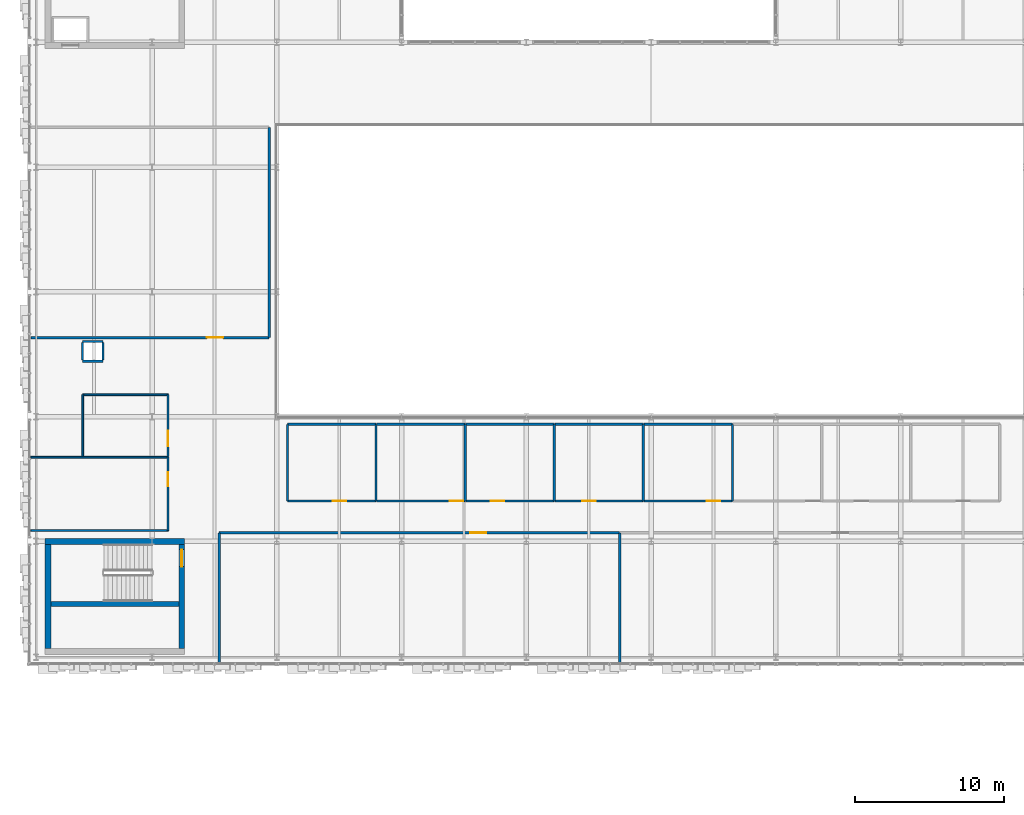
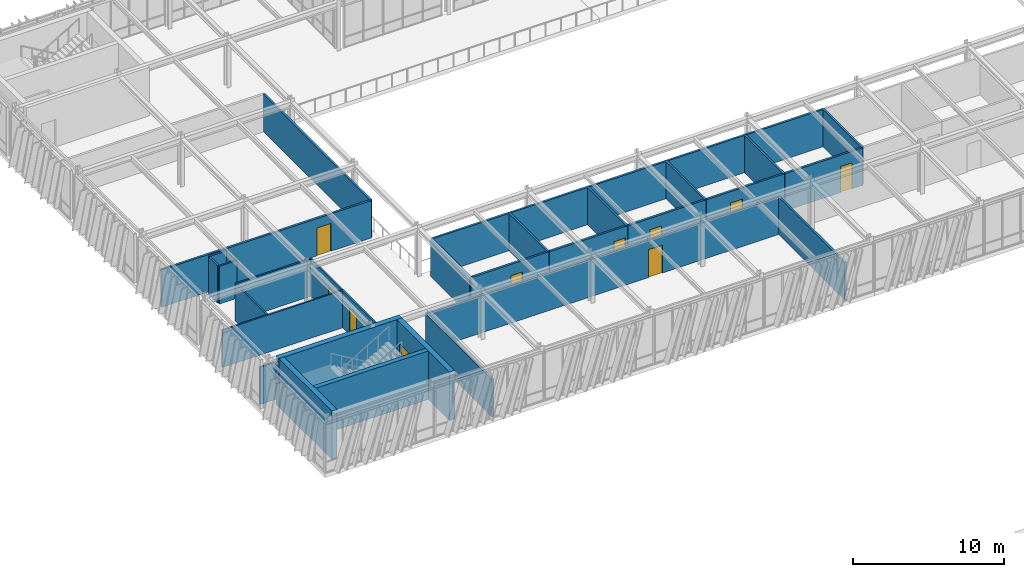
# One storey, part 106 of 127: 35 walls, 10 doors, 10 openings.
"""IFC4 building model written with IfcOpenShell, lengths in metres."""

from ifc_helpers import new_model, si_unit, direction, frame, frame_2d, origin, place, context, subcontext, project, spatial, rectangle, extrude, material, layer, layer_set, type_object, element, fill, save


model = new_model("IFC4")

# Units and contexts
model_context = context("Model", 3, precision=1e-05, world=origin(), true_north=direction((0.0, 1.0)))
body_context = subcontext(model_context, "Body", "Model", "MODEL_VIEW")
ifc_project = project(units=[si_unit("LENGTHUNIT", "METRE"), si_unit("AREAUNIT", "SQUARE_METRE"), si_unit("VOLUMEUNIT", "CUBIC_METRE"), si_unit("PLANEANGLEUNIT", "RADIAN"), si_unit("MASSUNIT", "GRAM", prefix="KILO")], contexts=[model_context])

# Site, building, storey
site_placement = place(None, origin())
site = spatial("IfcSite", under=ifc_project, at=site_placement, CompositionType="ELEMENT")
building_placement = place(site_placement, origin())
building = spatial("IfcBuilding", under=site, at=building_placement, Name="Zayran Congress Hotel", CompositionType="ELEMENT")
storey_placement = place(building_placement, frame((0.0, 0.0, 10.800048828125)))
storey = spatial("IfcBuildingStorey", under=building, at=storey_placement, Name="L02", CompositionType="ELEMENT", Elevation=10.800048828125)

# Walls
ifc_material_1 = material(Name="Concrete C40/50", Category="concrete")
ifc_layer_1 = layer(ifc_material_1, 0.39990234375)
ifc_layer_set_1 = layer_set([ifc_layer_1], Name="Concrete C40/50")
wall_type_1 = type_object("IfcWallType", Name="WL-SH-400", PredefinedType="SHEAR", material=ifc_layer_set_1)
wall_1_placement = place(storey_placement, frame((19.0, 75.985107421875, 0.0), z_axis=(0.0, 0.0, 1.0), x_axis=(-1.0, 0.0, 0.0)))
element("IfcWall", 1, at=wall_1_placement, inside=storey, type_object=wall_type_1, Name="CWALL-C-V1S-L02-N", PredefinedType="SHEAR", context=body_context, shape_type="SweptSolid", body=[
    extrude(rectangle(XDim=9.39990234375, YDim=0.39990234375, at=frame_2d((4.699951171875, 0.0))), origin(), (0.0, 0.0, 1.0), 3.919921875),
])
wall_2_placement = place(storey_placement, frame((9.800048828125, 75.800048828125, 0.0), z_axis=(0.0, 0.0, 1.0), x_axis=(0.0, -1.0, 0.0)))
element("IfcWall", 2, at=wall_2_placement, inside=storey, type_object=wall_type_1, Name="CWALL-C-V1S-L02-W", PredefinedType="SHEAR", context=body_context, shape_type="SweptSolid", body=[
    extrude(rectangle(XDim=7.0, YDim=0.39990234375, at=frame_2d((3.5, 0.0))), origin(), (0.0, 0.0, 1.0), 3.919921875),
])

# Wall, opening, door
wall_3_placement = place(storey_placement, frame((18.800048828125, 68.800048828125, 0.0), z_axis=(0.0, 0.0, 1.0), x_axis=(0.0, 1.0, 0.0)))
wall_3 = element("IfcWall", 3, at=wall_3_placement, inside=storey, type_object=wall_type_1, Name="CWALL-C-V1S-L02-E", PredefinedType="SHEAR", context=body_context, shape_type="SweptSolid", body=[
    extrude(rectangle(XDim=7.0, YDim=0.39990234375, at=frame_2d((3.5, 0.0))), origin(), (0.0, 0.0, 1.0), 3.919921875),
])
opening_1_placement = place(wall_3_placement, frame((5.5, 0.0, 0.0)))
opening_1 = element("IfcOpeningElement", 4, at=opening_1_placement, cuts=wall_3, Name="Opening DR-FD-90", PredefinedType="OPENING", context=body_context, shape_type="SweptSolid", body=[
    extrude(rectangle(XDim=1.14990234375, YDim=2.199951171875, at=frame_2d((0.574951171875, 1.10009765625))), frame((0.0, 0.2099609375, 0.0), z_axis=(0.0, -1.0, 0.0), x_axis=(1.0, 0.0, 0.0)), (0.0, 0.0, 1.0), 0.419921875),
])
ifc_material_2 = material(Name="Painted steel fire door assembly", Category="steel")
door_type_1 = type_object("IfcDoorType", Name="TP-DR-FD-90", OperationType="NOTDEFINED", PredefinedType="DOOR", material=ifc_material_2)
door_1_placement = place(opening_1_placement, origin())
door_1 = element("IfcDoor", 5, at=door_1_placement, inside=storey, type_object=door_type_1, Name="ST-05 Exit Stair Door L02", OperationType="SINGLE_SWING_RIGHT", OverallHeight=2.199951171875, OverallWidth=1.14990234375, PredefinedType="DOOR", context=body_context, shape_type="SweptSolid", body=[
    extrude(rectangle(XDim=1.14990234375, YDim=2.199951171875, at=frame_2d((0.574951171875, 1.10009765625))), frame((0.0, 0.02490234375, 0.0), z_axis=(0.0, -1.0, 0.0), x_axis=(1.0, 0.0, 0.0)), (0.0, 0.0, 1.0), 0.050048828125),
])
fill(opening_1, door_1)

# Wall
ifc_layer_2 = layer(ifc_material_1, 0.35009765625)
ifc_layer_set_2 = layer_set([ifc_layer_2], Name="Concrete C40/50")
wall_type_2 = type_object("IfcWallType", Name="WL-SH-350", PredefinedType="SHEAR", material=ifc_layer_set_2)
wall_4_placement = place(storey_placement, frame((10.0, 71.784912109375, 0.0), z_axis=(0.0, 0.0, 1.0), x_axis=(1.0, 0.0, 0.0)))
element("IfcWall", 6, at=wall_4_placement, inside=storey, type_object=wall_type_2, Name="CWALL-C-V1S-L02-SPN", PredefinedType="SHEAR", context=body_context, shape_type="SweptSolid", body=[
    extrude(rectangle(XDim=8.60009765625, YDim=0.35009765625, at=frame_2d((4.300048828125, 0.0))), origin(), (0.0, 0.0, 1.0), 3.919921875),
])

# Wall, opening, door
ifc_material_3 = material(Name="Acoustic twin-stud gypsum partition", Category="gypsum")
ifc_layer_3 = layer(ifc_material_3, 0.159912109375)
ifc_layer_set_3 = layer_set([ifc_layer_3], Name="Acoustic twin-stud gypsum partition")
wall_type_3 = type_object("IfcWallType", Name="WL-PT-160", PredefinedType="PARTITIONING", material=ifc_layer_set_3)
wall_5_placement = place(storey_placement, frame((25.919921875, 78.719970703125, 0.0), z_axis=(0.0, 0.0, 1.0), x_axis=(1.0, 0.0, 0.0)))
wall_5 = element("IfcWall", 7, at=wall_5_placement, inside=storey, type_object=wall_type_3, Name="IW-L02-0486", PredefinedType="PARTITIONING", context=body_context, shape_type="SweptSolid", body=[
    extrude(rectangle(XDim=5.9599609375, YDim=0.159912109375, at=frame_2d((2.97998046875, 0.0))), origin(), (0.0, 0.0, 1.0), 3.02001953125),
])
opening_2_placement = place(wall_5_placement, frame((3.0419921875, 0.0, 0.0)))
opening_2 = element("IfcOpeningElement", 8, at=opening_2_placement, cuts=wall_5, Name="Opening DR-IB-01", PredefinedType="OPENING", context=body_context, shape_type="SweptSolid", body=[
    extrude(rectangle(XDim=0.89990234375, YDim=2.10009765625, at=frame_2d((0.449951171875, 1.050048828125))), frame((0.0, 0.08984375, 0.0), z_axis=(0.0, -1.0, 0.0), x_axis=(1.0, 0.0, 0.0)), (0.0, 0.0, 1.0), 0.179931640625),
])
ifc_material_4 = material(Name="Acoustic interpretation booth door", Category="steel")
door_type_2 = type_object("IfcDoorType", Name="TP-DR-IB-01", OperationType="NOTDEFINED", PredefinedType="DOOR", material=ifc_material_4)
door_2_placement = place(opening_2_placement, origin())
door_2 = element("IfcDoor", 9, at=door_2_placement, inside=storey, type_object=door_type_2, Name="Interpretation Booth 01 Door", OperationType="SINGLE_SWING_LEFT", OverallHeight=2.10009765625, OverallWidth=0.89990234375, PredefinedType="DOOR", context=body_context, shape_type="SweptSolid", body=[
    extrude(rectangle(XDim=0.89990234375, YDim=2.10009765625, at=frame_2d((0.449951171875, 1.050048828125))), frame((0.0, 0.02490234375, 0.0), z_axis=(0.0, -1.0, 0.0), x_axis=(1.0, 0.0, 0.0)), (0.0, 0.0, 1.0), 0.050048828125),
])
fill(opening_2, door_2)

wall_6_placement = place(storey_placement, frame((31.919921875, 78.719970703125, 0.0), z_axis=(0.0, 0.0, 1.0), x_axis=(1.0, 0.0, 0.0)))
wall_6 = element("IfcWall", 10, at=wall_6_placement, inside=storey, type_object=wall_type_3, Name="IW-L02-0487", PredefinedType="PARTITIONING", context=body_context, shape_type="SweptSolid", body=[
    extrude(rectangle(XDim=5.9599609375, YDim=0.159912109375, at=frame_2d((2.97998046875, 0.0))), origin(), (0.0, 0.0, 1.0), 3.02001953125),
])
opening_3_placement = place(wall_6_placement, frame((4.919921875, 0.0, 0.0)))
opening_3 = element("IfcOpeningElement", 11, at=opening_3_placement, cuts=wall_6, Name="Opening DR-IB-01", PredefinedType="OPENING", context=body_context, shape_type="SweptSolid", body=[
    extrude(rectangle(XDim=0.89990234375, YDim=2.10009765625, at=frame_2d((0.449951171875, 1.050048828125))), frame((0.0, 0.08984375, 0.0), z_axis=(0.0, -1.0, 0.0), x_axis=(1.0, 0.0, 0.0)), (0.0, 0.0, 1.0), 0.179931640625),
])
door_3_placement = place(opening_3_placement, origin())
door_3 = element("IfcDoor", 12, at=door_3_placement, inside=storey, type_object=door_type_2, Name="Interpretation Booth 02 Door", OperationType="SINGLE_SWING_RIGHT", OverallHeight=2.10009765625, OverallWidth=0.89990234375, PredefinedType="DOOR", context=body_context, shape_type="SweptSolid", body=[
    extrude(rectangle(XDim=0.89990234375, YDim=2.10009765625, at=frame_2d((0.449951171875, 1.050048828125))), frame((0.0, 0.02490234375, 0.0), z_axis=(0.0, -1.0, 0.0), x_axis=(1.0, 0.0, 0.0)), (0.0, 0.0, 1.0), 0.050048828125),
])
fill(opening_3, door_3)

wall_7_placement = place(storey_placement, frame((37.919921875, 78.719970703125, 0.0), z_axis=(0.0, 0.0, 1.0), x_axis=(1.0, 0.0, 0.0)))
wall_7 = element("IfcWall", 13, at=wall_7_placement, inside=storey, type_object=wall_type_3, Name="IW-L02-0488", PredefinedType="PARTITIONING", context=body_context, shape_type="SweptSolid", body=[
    extrude(rectangle(XDim=5.9599609375, YDim=0.159912109375, at=frame_2d((2.97998046875, 0.0))), origin(), (0.0, 0.0, 1.0), 3.02001953125),
])
opening_4_placement = place(wall_7_placement, frame((1.676025390625, 0.0, 0.0)))
opening_4 = element("IfcOpeningElement", 14, at=opening_4_placement, cuts=wall_7, Name="Opening DR-IB-01", PredefinedType="OPENING", context=body_context, shape_type="SweptSolid", body=[
    extrude(rectangle(XDim=0.89990234375, YDim=2.10009765625, at=frame_2d((0.449951171875, 1.050048828125))), frame((0.0, 0.08984375, 0.0), z_axis=(0.0, -1.0, 0.0), x_axis=(1.0, 0.0, 0.0)), (0.0, 0.0, 1.0), 0.179931640625),
])
door_4_placement = place(opening_4_placement, origin())
door_4 = element("IfcDoor", 15, at=door_4_placement, inside=storey, type_object=door_type_2, Name="Interpretation Booth 03 Door", OperationType="SINGLE_SWING_LEFT", OverallHeight=2.10009765625, OverallWidth=0.89990234375, PredefinedType="DOOR", context=body_context, shape_type="SweptSolid", body=[
    extrude(rectangle(XDim=0.89990234375, YDim=2.10009765625, at=frame_2d((0.449951171875, 1.050048828125))), frame((0.0, 0.02490234375, 0.0), z_axis=(0.0, -1.0, 0.0), x_axis=(1.0, 0.0, 0.0)), (0.0, 0.0, 1.0), 0.050048828125),
])
fill(opening_4, door_4)

wall_8_placement = place(storey_placement, frame((43.919921875, 78.719970703125, 0.0), z_axis=(0.0, 0.0, 1.0), x_axis=(1.0, 0.0, 0.0)))
wall_8 = element("IfcWall", 16, at=wall_8_placement, inside=storey, type_object=wall_type_3, Name="IW-L02-0489", PredefinedType="PARTITIONING", context=body_context, shape_type="SweptSolid", body=[
    extrude(rectangle(XDim=5.9599609375, YDim=0.159912109375, at=frame_2d((2.97998046875, 0.0))), origin(), (0.0, 0.0, 1.0), 3.02001953125),
])
opening_5_placement = place(wall_8_placement, frame((1.846923828125, 0.0, 0.0)))
opening_5 = element("IfcOpeningElement", 17, at=opening_5_placement, cuts=wall_8, Name="Opening DR-IB-01", PredefinedType="OPENING", context=body_context, shape_type="SweptSolid", body=[
    extrude(rectangle(XDim=0.89990234375, YDim=2.10009765625, at=frame_2d((0.449951171875, 1.050048828125))), frame((0.0, 0.08984375, 0.0), z_axis=(0.0, -1.0, 0.0), x_axis=(1.0, 0.0, 0.0)), (0.0, 0.0, 1.0), 0.179931640625),
])
door_5_placement = place(opening_5_placement, origin())
door_5 = element("IfcDoor", 18, at=door_5_placement, inside=storey, type_object=door_type_2, Name="Interpretation Booth 04 Door", OperationType="SINGLE_SWING_RIGHT", OverallHeight=2.10009765625, OverallWidth=0.89990234375, PredefinedType="DOOR", context=body_context, shape_type="SweptSolid", body=[
    extrude(rectangle(XDim=0.89990234375, YDim=2.10009765625, at=frame_2d((0.449951171875, 1.050048828125))), frame((0.0, 0.02490234375, 0.0), z_axis=(0.0, -1.0, 0.0), x_axis=(1.0, 0.0, 0.0)), (0.0, 0.0, 1.0), 0.050048828125),
])
fill(opening_5, door_5)

wall_9_placement = place(storey_placement, frame((49.919921875, 78.719970703125, 0.0), z_axis=(0.0, 0.0, 1.0), x_axis=(1.0, 0.0, 0.0)))
wall_9 = element("IfcWall", 19, at=wall_9_placement, inside=storey, type_object=wall_type_3, Name="IW-L02-0490", PredefinedType="PARTITIONING", context=body_context, shape_type="SweptSolid", body=[
    extrude(rectangle(XDim=5.9599609375, YDim=0.159912109375, at=frame_2d((2.97998046875, 0.0))), origin(), (0.0, 0.0, 1.0), 3.02001953125),
])
opening_6_placement = place(wall_9_placement, frame((4.237060546875, 0.0, 0.0)))
opening_6 = element("IfcOpeningElement", 20, at=opening_6_placement, cuts=wall_9, Name="Opening DR-IB-01", PredefinedType="OPENING", context=body_context, shape_type="SweptSolid", body=[
    extrude(rectangle(XDim=0.89990234375, YDim=2.10009765625, at=frame_2d((0.449951171875, 1.050048828125))), frame((0.0, 0.08984375, 0.0), z_axis=(0.0, -1.0, 0.0), x_axis=(1.0, 0.0, 0.0)), (0.0, 0.0, 1.0), 0.179931640625),
])
door_6_placement = place(opening_6_placement, origin())
door_6 = element("IfcDoor", 21, at=door_6_placement, inside=storey, type_object=door_type_2, Name="Interpretation Booth 05 Door", OperationType="SINGLE_SWING_LEFT", OverallHeight=2.10009765625, OverallWidth=0.89990234375, PredefinedType="DOOR", context=body_context, shape_type="SweptSolid", body=[
    extrude(rectangle(XDim=0.89990234375, YDim=2.10009765625, at=frame_2d((0.449951171875, 1.050048828125))), frame((0.0, 0.02490234375, 0.0), z_axis=(0.0, -1.0, 0.0), x_axis=(1.0, 0.0, 0.0)), (0.0, 0.0, 1.0), 0.050048828125),
])
fill(opening_6, door_6)

wall_10_placement = place(storey_placement, frame((21.320068359375, 76.580078125, 0.0), z_axis=(0.0, 0.0, 1.0), x_axis=(1.0, 0.0, 0.0)))
wall_10 = element("IfcWall", 22, at=wall_10_placement, inside=storey, type_object=wall_type_3, Name="IW-L02-0494", PredefinedType="PARTITIONING", context=body_context, shape_type="SweptSolid", body=[
    extrude(rectangle(XDim=26.9599609375, YDim=0.159912109375, at=frame_2d((13.47998046875, 0.0))), origin(), (0.0, 0.0, 1.0), 3.02001953125),
])
opening_7_placement = place(wall_10_placement, frame((16.9140625, 0.0, 0.0)))
opening_7 = element("IfcOpeningElement", 23, at=opening_7_placement, cuts=wall_10, Name="Opening DR-MT-01", PredefinedType="OPENING", context=body_context, shape_type="SweptSolid", body=[
    extrude(rectangle(XDim=1.080078125, YDim=2.25, at=frame_2d((0.5400390625, 1.125))), frame((0.0, 0.08984375, 0.0), z_axis=(0.0, -1.0, 0.0), x_axis=(1.0, 0.0, 0.0)), (0.0, 0.0, 1.0), 0.179931640625),
])
ifc_material_5 = material(Name="Acoustic timber seminar room door", Category="wood")
door_type_3 = type_object("IfcDoorType", Name="TP-DR-MT-01", OperationType="NOTDEFINED", PredefinedType="DOOR", material=ifc_material_5)
door_7_placement = place(opening_7_placement, origin())
door_7 = element("IfcDoor", 24, at=door_7_placement, inside=storey, type_object=door_type_3, Name="Press Seminar Meeting Room West Door", OperationType="SINGLE_SWING_LEFT", OverallHeight=2.25, OverallWidth=1.080078125, PredefinedType="DOOR", context=body_context, shape_type="SweptSolid", body=[
    extrude(rectangle(XDim=1.080078125, YDim=2.25, at=frame_2d((0.5400390625, 1.125))), frame((0.0, 0.02490234375, 0.0), z_axis=(0.0, -1.0, 0.0), x_axis=(1.0, 0.0, 0.0)), (0.0, 0.0, 1.0), 0.050048828125),
])
fill(opening_7, door_7)

wall_11_placement = place(storey_placement, frame((8.639892578125, 89.719970703125, 0.0), z_axis=(0.0, 0.0, 1.0), x_axis=(1.0, 0.0, 0.0)))
wall_11 = element("IfcWall", 25, at=wall_11_placement, inside=storey, type_object=wall_type_3, Name="IW-L02-0496", PredefinedType="PARTITIONING", context=body_context, shape_type="SweptSolid", body=[
    extrude(rectangle(XDim=16.0400390625, YDim=0.159912109375, at=frame_2d((8.02001953125, 0.0))), origin(), (0.0, 0.0, 1.0), 3.02001953125),
])
opening_8_placement = place(wall_11_placement, frame((11.85888671875, 0.0, 0.0)))
opening_8 = element("IfcOpeningElement", 26, at=opening_8_placement, cuts=wall_11, Name="Opening DR-MT-01", PredefinedType="OPENING", context=body_context, shape_type="SweptSolid", body=[
    extrude(rectangle(XDim=1.080078125, YDim=2.25, at=frame_2d((0.5400390625, 1.125))), frame((0.0, 0.08984375, 0.0), z_axis=(0.0, -1.0, 0.0), x_axis=(1.0, 0.0, 0.0)), (0.0, 0.0, 1.0), 0.179931640625),
])
door_8_placement = place(opening_8_placement, origin())
door_8 = element("IfcDoor", 27, at=door_8_placement, inside=storey, type_object=door_type_3, Name="Congress Acoustic Gallery West L02 Door", OperationType="SINGLE_SWING_LEFT", OverallHeight=2.25, OverallWidth=1.080078125, PredefinedType="DOOR", context=body_context, shape_type="SweptSolid", body=[
    extrude(rectangle(XDim=1.080078125, YDim=2.25, at=frame_2d((0.5400390625, 1.125))), frame((0.0, 0.02490234375, 0.0), z_axis=(0.0, -1.0, 0.0), x_axis=(1.0, 0.0, 0.0)), (0.0, 0.0, 1.0), 0.050048828125),
])
fill(opening_8, door_8)

# Walls
wall_12_placement = place(storey_placement, frame((25.919921875, 83.8798828125, 0.0), z_axis=(0.0, 0.0, 1.0), x_axis=(1.0, 0.0, 0.0)))
element("IfcWall", 28, at=wall_12_placement, inside=storey, type_object=wall_type_3, Name="IW-L02-1778", PredefinedType="PARTITIONING", context=body_context, shape_type="SweptSolid", body=[
    extrude(rectangle(XDim=5.9599609375, YDim=0.159912109375, at=frame_2d((2.97998046875, 0.0))), origin(), (0.0, 0.0, 1.0), 3.02001953125),
])
for number, where, z_axis, x_axis, name in (
    (29, (25.919921875, 78.719970703125, 0.0), (0.0, 0.0, 1.0), (0.0, 1.0, 0.0), "IW-L02-1779"),
    (30, (31.8798828125, 78.719970703125, 0.0), (0.0, 0.0, 1.0), (0.0, 1.0, 0.0), "IW-L02-1780"),
):
    element("IfcWall", number, at=place(storey_placement, frame(where, z_axis=z_axis, x_axis=x_axis)), inside=storey, type_object=wall_type_3, Name=name, PredefinedType="PARTITIONING", context=body_context, shape_type="SweptSolid", body=[
        extrude(rectangle(XDim=5.159912109375, YDim=0.159912109375, at=frame_2d((2.580078125, 0.0))), origin(), (0.0, 0.0, 1.0), 3.02001953125),
    ])
wall_13_placement = place(storey_placement, frame((31.919921875, 83.8798828125, 0.0), z_axis=(0.0, 0.0, 1.0), x_axis=(1.0, 0.0, 0.0)))
element("IfcWall", 31, at=wall_13_placement, inside=storey, type_object=wall_type_3, Name="IW-L02-1781", PredefinedType="PARTITIONING", context=body_context, shape_type="SweptSolid", body=[
    extrude(rectangle(XDim=5.9599609375, YDim=0.159912109375, at=frame_2d((2.97998046875, 0.0))), origin(), (0.0, 0.0, 1.0), 3.02001953125),
])
wall_14_placement = place(storey_placement, frame((37.8798828125, 78.719970703125, 0.0), z_axis=(0.0, 0.0, 1.0), x_axis=(0.0, 1.0, 0.0)))
element("IfcWall", 32, at=wall_14_placement, inside=storey, type_object=wall_type_3, Name="IW-L02-1782", PredefinedType="PARTITIONING", context=body_context, shape_type="SweptSolid", body=[
    extrude(rectangle(XDim=5.159912109375, YDim=0.159912109375, at=frame_2d((2.580078125, 0.0))), origin(), (0.0, 0.0, 1.0), 3.02001953125),
])
wall_15_placement = place(storey_placement, frame((37.919921875, 83.8798828125, 0.0), z_axis=(0.0, 0.0, 1.0), x_axis=(1.0, 0.0, 0.0)))
element("IfcWall", 33, at=wall_15_placement, inside=storey, type_object=wall_type_3, Name="IW-L02-1783", PredefinedType="PARTITIONING", context=body_context, shape_type="SweptSolid", body=[
    extrude(rectangle(XDim=5.9599609375, YDim=0.159912109375, at=frame_2d((2.97998046875, 0.0))), origin(), (0.0, 0.0, 1.0), 3.02001953125),
])
wall_16_placement = place(storey_placement, frame((43.8798828125, 78.719970703125, 0.0), z_axis=(0.0, 0.0, 1.0), x_axis=(0.0, 1.0, 0.0)))
element("IfcWall", 34, at=wall_16_placement, inside=storey, type_object=wall_type_3, Name="IW-L02-1784", PredefinedType="PARTITIONING", context=body_context, shape_type="SweptSolid", body=[
    extrude(rectangle(XDim=5.159912109375, YDim=0.159912109375, at=frame_2d((2.580078125, 0.0))), origin(), (0.0, 0.0, 1.0), 3.02001953125),
])
wall_17_placement = place(storey_placement, frame((43.919921875, 83.8798828125, 0.0), z_axis=(0.0, 0.0, 1.0), x_axis=(1.0, 0.0, 0.0)))
element("IfcWall", 35, at=wall_17_placement, inside=storey, type_object=wall_type_3, Name="IW-L02-1785", PredefinedType="PARTITIONING", context=body_context, shape_type="SweptSolid", body=[
    extrude(rectangle(XDim=5.9599609375, YDim=0.159912109375, at=frame_2d((2.97998046875, 0.0))), origin(), (0.0, 0.0, 1.0), 3.02001953125),
])
wall_18_placement = place(storey_placement, frame((49.8798828125, 78.719970703125, 0.0), z_axis=(0.0, 0.0, 1.0), x_axis=(0.0, 1.0, 0.0)))
element("IfcWall", 36, at=wall_18_placement, inside=storey, type_object=wall_type_3, Name="IW-L02-1786", PredefinedType="PARTITIONING", context=body_context, shape_type="SweptSolid", body=[
    extrude(rectangle(XDim=5.159912109375, YDim=0.159912109375, at=frame_2d((2.580078125, 0.0))), origin(), (0.0, 0.0, 1.0), 3.02001953125),
])
wall_19_placement = place(storey_placement, frame((49.919921875, 83.8798828125, 0.0), z_axis=(0.0, 0.0, 1.0), x_axis=(1.0, 0.0, 0.0)))
element("IfcWall", 37, at=wall_19_placement, inside=storey, type_object=wall_type_3, Name="IW-L02-1787", PredefinedType="PARTITIONING", context=body_context, shape_type="SweptSolid", body=[
    extrude(rectangle(XDim=5.9599609375, YDim=0.159912109375, at=frame_2d((2.97998046875, 0.0))), origin(), (0.0, 0.0, 1.0), 3.02001953125),
])
wall_20_placement = place(storey_placement, frame((55.8798828125, 78.719970703125, 0.0), z_axis=(0.0, 0.0, 1.0), x_axis=(0.0, 1.0, 0.0)))
element("IfcWall", 38, at=wall_20_placement, inside=storey, type_object=wall_type_3, Name="IW-L02-1788", PredefinedType="PARTITIONING", context=body_context, shape_type="SweptSolid", body=[
    extrude(rectangle(XDim=5.159912109375, YDim=0.159912109375, at=frame_2d((2.580078125, 0.0))), origin(), (0.0, 0.0, 1.0), 3.02001953125),
])
for number, where, z_axis, x_axis, name in (
    (39, (21.320068359375, 67.77001953125, 0.0), (0.0, 0.0, 1.0), (0.0, 1.0, 0.0), "IW-L02-1795"),
    (40, (48.280029296875, 67.77001953125, 0.0), (0.0, 0.0, 1.0), (0.0, 1.0, 0.0), "IW-L02-1796"),
):
    element("IfcWall", number, at=place(storey_placement, frame(where, z_axis=z_axis, x_axis=x_axis)), inside=storey, type_object=wall_type_3, Name=name, PredefinedType="PARTITIONING", context=body_context, shape_type="SweptSolid", body=[
        extrude(rectangle(XDim=8.81005859375, YDim=0.159912109375, at=frame_2d((4.405029296875, 0.0))), origin(), (0.0, 0.0, 1.0), 3.02001953125),
    ])
wall_21_placement = place(storey_placement, frame((24.679931640625, 89.719970703125, 0.0), z_axis=(0.0, 0.0, 1.0), x_axis=(0.0, 1.0, 0.0)))
element("IfcWall", 41, at=wall_21_placement, inside=storey, type_object=wall_type_3, Name="IW-L02-1799", PredefinedType="PARTITIONING", context=body_context, shape_type="SweptSolid", body=[
    extrude(rectangle(XDim=14.159912109375, YDim=0.159912109375, at=frame_2d((7.080078125, 0.0))), origin(), (0.0, 0.0, 1.0), 3.02001953125),
])
ifc_material_6 = material(Name="Hospitality guestroom acoustic partition", Category="gypsum")
ifc_layer_4 = layer(ifc_material_6, 0.139892578125)
ifc_layer_set_4 = layer_set([ifc_layer_4], Name="Hospitality guestroom acoustic partition")
wall_type_4 = type_object("IfcWallType", Name="WL-PT-140", PredefinedType="PARTITIONING", material=ifc_layer_set_4)
for number, where, z_axis, x_axis, name in (
    (42, (12.1298828125, 88.1298828125, 0.0), (0.0, 0.0, 1.0), (1.0, 0.0, 0.0), "RSWL-V1-L02-005-S"),
    (43, (13.489990234375, 89.449951171875, 0.0), (0.0, 0.0, 1.0), (-1.0, 0.0, 0.0), "RSWL-V1-L02-005-N"),
):
    element("IfcWall", number, at=place(storey_placement, frame(where, z_axis=z_axis, x_axis=x_axis)), inside=storey, type_object=wall_type_4, Name=name, PredefinedType="PARTITIONING", context=body_context, shape_type="SweptSolid", body=[
        extrude(rectangle(XDim=1.360107421875, YDim=0.139892578125, at=frame_2d((0.68017578125, 0.0))), origin(), (0.0, 0.0, 1.0), 3.0400390625),
    ])
for number, where, z_axis, x_axis, name in (
    (44, (12.1298828125, 89.3798828125, 0.0), (0.0, 0.0, 1.0), (0.0, -1.0, 0.0), "RSWL-V1-L02-005-W"),
    (45, (13.489990234375, 88.199951171875, 0.0), (0.0, 0.0, 1.0), (0.0, 1.0, 0.0), "RSWL-V1-L02-005-E"),
):
    element("IfcWall", number, at=place(storey_placement, frame(where, z_axis=z_axis, x_axis=x_axis)), inside=storey, type_object=wall_type_4, Name=name, PredefinedType="PARTITIONING", context=body_context, shape_type="SweptSolid", body=[
        extrude(rectangle(XDim=1.179931640625, YDim=0.139892578125, at=frame_2d((0.58984375, 0.0))), origin(), (0.0, 0.0, 1.0), 3.0400390625),
    ])

# Wall, opening, door
ifc_material_7 = material(Name="Moisture-resistant bathroom partition", Category="gypsum")
ifc_layer_5 = layer(ifc_material_7, 0.1201171875)
ifc_layer_set_5 = layer_set([ifc_layer_5], Name="Moisture-resistant bathroom partition")
wall_type_5 = type_object("IfcWallType", Name="WL-PT-120", PredefinedType="PARTITIONING", material=ifc_layer_set_5)
wall_22_placement = place(storey_placement, frame((17.8701171875, 76.719970703125, 0.0), z_axis=(0.0, 0.0, 1.0), x_axis=(0.0, 1.0, 0.0)))
wall_22 = element("IfcWall", 46, at=wall_22_placement, inside=storey, type_object=wall_type_5, Name="IW-L02-0353", PredefinedType="PARTITIONING", context=body_context, shape_type="SweptSolid", body=[
    extrude(rectangle(XDim=4.9599609375, YDim=0.1201171875, at=frame_2d((2.47998046875, 0.0))), origin(), (0.0, 0.0, 1.0), 3.02001953125),
])
opening_9_placement = place(wall_22_placement, frame((3.006103515625, 0.0, 0.0)))
opening_9 = element("IfcOpeningElement", 47, at=opening_9_placement, cuts=wall_22, Name="Opening DR-WC-01", PredefinedType="OPENING", context=body_context, shape_type="SweptSolid", body=[
    extrude(rectangle(XDim=0.919921875, YDim=2.14990234375, at=frame_2d((0.4599609375, 1.074951171875))), frame((0.0, 0.070068359375, 0.0), z_axis=(0.0, -1.0, 0.0), x_axis=(1.0, 0.0, 0.0)), (0.0, 0.0, 1.0), 0.14013671875),
])
ifc_material_8 = material(Name="Laminated timber public washroom door", Category="wood")
door_type_4 = type_object("IfcDoorType", Name="TP-DR-WC-01", OperationType="NOTDEFINED", PredefinedType="DOOR", material=ifc_material_8)
door_9_placement = place(opening_9_placement, origin())
door_9 = element("IfcDoor", 48, at=door_9_placement, inside=storey, type_object=door_type_4, Name="Public WC L02 Congress Door", OperationType="SINGLE_SWING_RIGHT", OverallHeight=2.14990234375, OverallWidth=0.919921875, PredefinedType="DOOR", context=body_context, shape_type="SweptSolid", body=[
    extrude(rectangle(XDim=0.919921875, YDim=2.14990234375, at=frame_2d((0.4599609375, 1.074951171875))), frame((0.0, 0.02490234375, 0.0), z_axis=(0.0, -1.0, 0.0), x_axis=(1.0, 0.0, 0.0)), (0.0, 0.0, 1.0), 0.050048828125),
])
fill(opening_9, door_9)

wall_23_placement = place(storey_placement, frame((17.8701171875, 81.719970703125, 0.0), z_axis=(0.0, 0.0, 1.0), x_axis=(0.0, 1.0, 0.0)))
wall_23 = element("IfcWall", 49, at=wall_23_placement, inside=storey, type_object=wall_type_5, Name="IW-L02-0354", PredefinedType="PARTITIONING", context=body_context, shape_type="SweptSolid", body=[
    extrude(rectangle(XDim=4.159912109375, YDim=0.1201171875, at=frame_2d((2.080078125, 0.0))), origin(), (0.0, 0.0, 1.0), 3.02001953125),
])
opening_10_placement = place(wall_23_placement, frame((0.679931640625, 0.0, 0.0)))
opening_10 = element("IfcOpeningElement", 50, at=opening_10_placement, cuts=wall_23, Name="Opening DR-WC-02", PredefinedType="OPENING", context=body_context, shape_type="SweptSolid", body=[
    extrude(rectangle(XDim=1.0400390625, YDim=2.14990234375, at=frame_2d((0.52001953125, 1.074951171875))), frame((0.0, 0.070068359375, 0.0), z_axis=(0.0, -1.0, 0.0), x_axis=(1.0, 0.0, 0.0)), (0.0, 0.0, 1.0), 0.14013671875),
])
ifc_material_9 = material(Name="Accessible public washroom door", Category="steel")
door_type_5 = type_object("IfcDoorType", Name="TP-DR-WC-02", OperationType="NOTDEFINED", PredefinedType="DOOR", material=ifc_material_9)
door_10_placement = place(opening_10_placement, origin())
door_10 = element("IfcDoor", 51, at=door_10_placement, inside=storey, type_object=door_type_5, Name="Accessible WC L02 Congress Door", OperationType="SINGLE_SWING_LEFT", OverallHeight=2.14990234375, OverallWidth=1.0400390625, PredefinedType="DOOR", context=body_context, shape_type="SweptSolid", body=[
    extrude(rectangle(XDim=1.0400390625, YDim=2.14990234375, at=frame_2d((0.52001953125, 1.074951171875))), frame((0.0, 0.02490234375, 0.0), z_axis=(0.0, -1.0, 0.0), x_axis=(1.0, 0.0, 0.0)), (0.0, 0.0, 1.0), 0.050048828125),
])
fill(opening_10, door_10)

# Walls
for number, where, z_axis, x_axis, name in (
    (52, (8.639892578125, 76.72998046875, 0.0), (0.0, 0.0, 1.0), (1.0, 0.0, 0.0), "IW-L02-1569"),
    (53, (8.639892578125, 81.669921875, 0.0), (0.0, 0.0, 1.0), (1.0, 0.0, 0.0), "IW-L02-1570"),
):
    element("IfcWall", number, at=place(storey_placement, frame(where, z_axis=z_axis, x_axis=x_axis)), inside=storey, type_object=wall_type_5, Name=name, PredefinedType="PARTITIONING", context=body_context, shape_type="SweptSolid", body=[
        extrude(rectangle(XDim=9.239990234375, YDim=0.1201171875, at=frame_2d((4.6201171875, 0.0))), origin(), (0.0, 0.0, 1.0), 3.02001953125),
    ])
wall_24_placement = place(storey_placement, frame((12.1201171875, 85.8701171875, 0.0), z_axis=(0.0, 0.0, 1.0), x_axis=(1.0, 0.0, 0.0)))
element("IfcWall", 54, at=wall_24_placement, inside=storey, type_object=wall_type_5, Name="IW-L02-1571", PredefinedType="PARTITIONING", context=body_context, shape_type="SweptSolid", body=[
    extrude(rectangle(XDim=5.759765625, YDim=0.1201171875, at=frame_2d((2.8798828125, 0.0))), origin(), (0.0, 0.0, 1.0), 3.02001953125),
])
wall_25_placement = place(storey_placement, frame((12.1298828125, 81.719970703125, 0.0), z_axis=(0.0, 0.0, 1.0), x_axis=(0.0, 1.0, 0.0)))
element("IfcWall", 55, at=wall_25_placement, inside=storey, type_object=wall_type_5, Name="IW-L02-1572", PredefinedType="PARTITIONING", context=body_context, shape_type="SweptSolid", body=[
    extrude(rectangle(XDim=4.159912109375, YDim=0.1201171875, at=frame_2d((2.080078125, 0.0))), origin(), (0.0, 0.0, 1.0), 3.02001953125),
])

save(model, "model.ifc")
